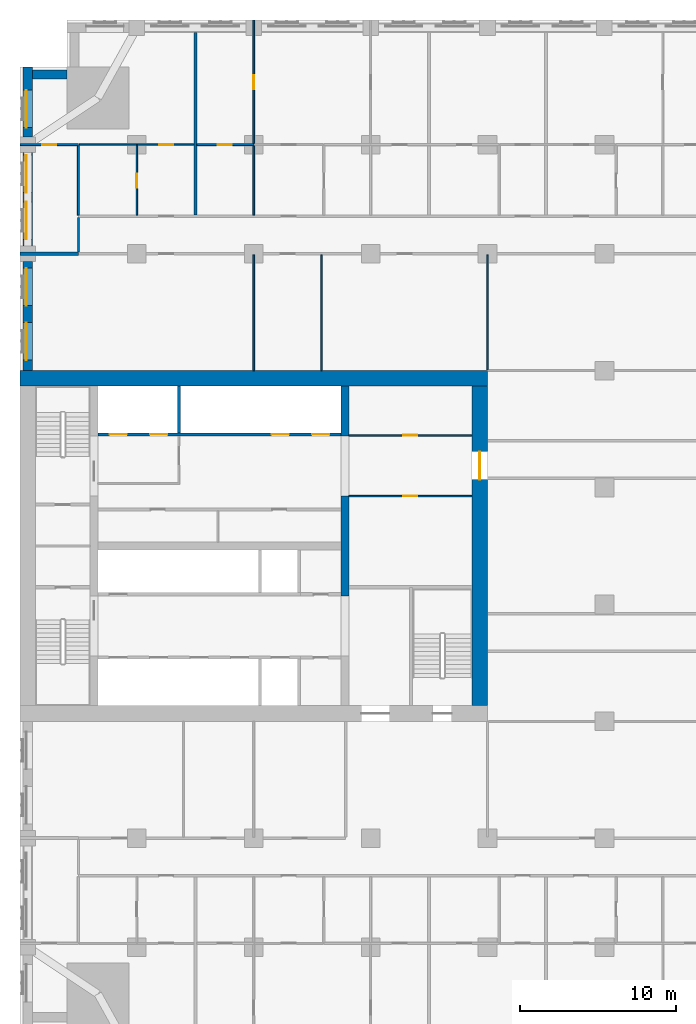
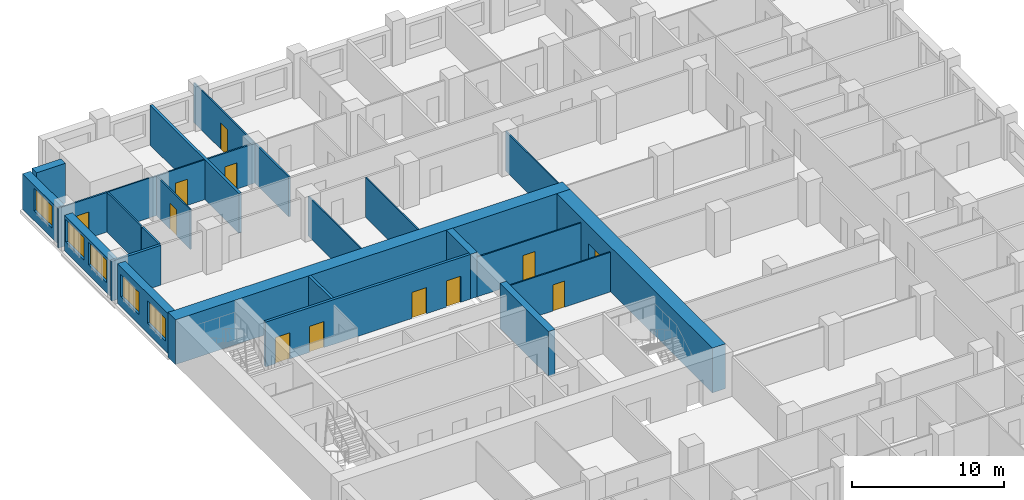
# One storey, part 8 of 14: 25 walls, 12 doors, 5 windows, 17 openings.
"""IFC4 building model written with IfcOpenShell, lengths in metres."""

from ifc_helpers import new_model, si_unit, direction, frame, frame_2d, origin, place, context, subcontext, project, spatial, rectangle, extrude, material, layer, layer_set, type_object, element, fill, save


model = new_model("IFC4")

# Units and contexts
model_context = context("Model", 3, precision=1e-05, world=origin(), true_north=direction((0.0, 1.0)))
body_context = subcontext(model_context, "Body", "Model", "MODEL_VIEW")
ifc_project = project(units=[si_unit("LENGTHUNIT", "METRE"), si_unit("AREAUNIT", "SQUARE_METRE"), si_unit("VOLUMEUNIT", "CUBIC_METRE"), si_unit("PLANEANGLEUNIT", "RADIAN"), si_unit("MASSUNIT", "GRAM", prefix="KILO")], contexts=[model_context])

# Site, building, storey
site_placement = place(None, origin())
site = spatial("IfcSite", under=ifc_project, at=site_placement, CompositionType="ELEMENT")
building_placement = place(site_placement, origin())
building = spatial("IfcBuilding", under=site, at=building_placement, Name="Tamorin Gate", CompositionType="ELEMENT")
storey_placement = place(building_placement, frame((0.0, 0.0, 70.0)))
storey = spatial("IfcBuildingStorey", under=building, at=storey_placement, Name="L16", CompositionType="ELEMENT", Elevation=70.0)

# Wall
ifc_material_1 = material(Name="Precast concrete C40/50", Category="concrete")
ifc_layer_1 = layer(ifc_material_1, 0.60009765625)
ifc_layer_set_1 = layer_set([ifc_layer_1], Name="Precast concrete C40/50")
wall_type_1 = type_object("IfcWallType", Name="Board-marked concrete facade panel 600", PredefinedType="SOLIDWALL", material=ifc_layer_set_1)
wall_1_placement = place(storey_placement, frame((33.0, 101.5, 0.0), z_axis=(0.0, 0.0, 1.0), x_axis=(-1.0, 0.0, 0.0)))
element("IfcWall", 1, at=wall_1_placement, inside=storey, type_object=wall_type_1, Name="Facade panel", PredefinedType="SOLIDWALL", context=body_context, shape_type="SweptSolid", body=[
    extrude(rectangle(XDim=2.199951171875, YDim=0.60009765625, at=frame_2d((1.10009765625, 0.0))), origin(), (0.0, 0.0, 1.0), 3.199951171875),
])

# Wall, opening, window
wall_2_placement = place(storey_placement, frame((30.5, 102.0, 0.0), z_axis=(0.0, 0.0, 1.0), x_axis=(0.0, -1.0, 0.0)))
wall_2 = element("IfcWall", 2, at=wall_2_placement, inside=storey, type_object=wall_type_1, Name="Facade panel", PredefinedType="SOLIDWALL", context=body_context, shape_type="SweptSolid", body=[
    extrude(rectangle(XDim=4.5, YDim=0.60009765625, at=frame_2d((2.25, 0.0))), origin(), (0.0, 0.0, 1.0), 2.85009765625),
])
opening_1_placement = place(wall_2_placement, frame((1.5, 0.0, 0.800048828125)))
opening_1 = element("IfcOpeningElement", 3, at=opening_1_placement, cuts=wall_2, Name="Opening WN1", PredefinedType="OPENING", context=body_context, shape_type="SweptSolid", body=[
    extrude(rectangle(XDim=2.39990234375, YDim=1.800048828125, at=frame_2d((1.199951171875, 0.89990234375))), frame((0.0, 0.31005859375, 0.0), z_axis=(0.0, -1.0, 0.0), x_axis=(1.0, 0.0, 0.0)), (0.0, 0.0, 1.0), 0.6201171875),
])
ifc_material_2 = material(Name="Clear glass in aluminium frame", Category="aluminium")
window_type = type_object("IfcWindowType", Name="Deep-set window 2400x1800", PartitioningType="SINGLE_PANEL", PredefinedType="WINDOW", material=ifc_material_2)
window_1_placement = place(opening_1_placement, origin())
window_1 = element("IfcWindow", 4, at=window_1_placement, inside=storey, type_object=window_type, Name="Deep-set window", OverallHeight=1.800048828125, OverallWidth=2.39990234375, PartitioningType="SINGLE_PANEL", PredefinedType="WINDOW", context=body_context, shape_type="SweptSolid", body=[
    extrude(rectangle(XDim=2.39990234375, YDim=1.800048828125, at=frame_2d((1.199951171875, 0.89990234375))), frame((0.0, -0.070068359375, 0.0), z_axis=(0.0, -1.0, 0.0), x_axis=(1.0, 0.0, 0.0)), (0.0, 0.0, 1.0), 0.06005859375),
])
fill(opening_1, window_1)

# Wall, openings, windows
wall_3_placement = place(storey_placement, frame((30.5, 96.5, 0.0), z_axis=(0.0, 0.0, 1.0), x_axis=(0.0, -1.0, 0.0)))
wall_3 = element("IfcWall", 5, at=wall_3_placement, inside=storey, type_object=wall_type_1, Name="Facade panel", PredefinedType="SOLIDWALL", context=body_context, shape_type="SweptSolid", body=[
    extrude(rectangle(XDim=6.0, YDim=0.60009765625, at=frame_2d((3.0, 0.0))), origin(), (0.0, 0.0, 1.0), 2.85009765625),
])
opening_2_placement = place(wall_3_placement, frame((3.175048828125, 0.0, 0.800048828125)))
opening_2 = element("IfcOpeningElement", 6, at=opening_2_placement, cuts=wall_3, Name="Opening WN1", PredefinedType="OPENING", context=body_context, shape_type="SweptSolid", body=[
    extrude(rectangle(XDim=2.39990234375, YDim=1.800048828125, at=frame_2d((1.199951171875, 0.89990234375))), frame((0.0, 0.31005859375, 0.0), z_axis=(0.0, -1.0, 0.0), x_axis=(1.0, 0.0, 0.0)), (0.0, 0.0, 1.0), 0.6201171875),
])
opening_3_placement = place(wall_3_placement, frame((0.175048828125, 0.0, 0.800048828125)))
opening_3 = element("IfcOpeningElement", 7, at=opening_3_placement, cuts=wall_3, Name="Opening WN1", PredefinedType="OPENING", context=body_context, shape_type="SweptSolid", body=[
    extrude(rectangle(XDim=2.39990234375, YDim=1.800048828125, at=frame_2d((1.199951171875, 0.89990234375))), frame((0.0, 0.31005859375, 0.0), z_axis=(0.0, -1.0, 0.0), x_axis=(1.0, 0.0, 0.0)), (0.0, 0.0, 1.0), 0.6201171875),
])
window_2_placement = place(opening_2_placement, origin())
window_2 = element("IfcWindow", 8, at=window_2_placement, inside=storey, type_object=window_type, Name="Deep-set window", OverallHeight=1.800048828125, OverallWidth=2.39990234375, PartitioningType="SINGLE_PANEL", PredefinedType="WINDOW", context=body_context, shape_type="SweptSolid", body=[
    extrude(rectangle(XDim=2.39990234375, YDim=1.800048828125, at=frame_2d((1.199951171875, 0.89990234375))), frame((0.0, -0.070068359375, 0.0), z_axis=(0.0, -1.0, 0.0), x_axis=(1.0, 0.0, 0.0)), (0.0, 0.0, 1.0), 0.06005859375),
])
fill(opening_2, window_2)
window_3_placement = place(opening_3_placement, origin())
window_3 = element("IfcWindow", 9, at=window_3_placement, inside=storey, type_object=window_type, Name="Deep-set window", OverallHeight=1.800048828125, OverallWidth=2.39990234375, PartitioningType="SINGLE_PANEL", PredefinedType="WINDOW", context=body_context, shape_type="SweptSolid", body=[
    extrude(rectangle(XDim=2.39990234375, YDim=1.800048828125, at=frame_2d((1.199951171875, 0.89990234375))), frame((0.0, -0.070068359375, 0.0), z_axis=(0.0, -1.0, 0.0), x_axis=(1.0, 0.0, 0.0)), (0.0, 0.0, 1.0), 0.06005859375),
])
fill(opening_3, window_3)

wall_4_placement = place(storey_placement, frame((30.5, 89.5, 0.0), z_axis=(0.0, 0.0, 1.0), x_axis=(0.0, -1.0, 0.0)))
wall_4 = element("IfcWall", 10, at=wall_4_placement, inside=storey, type_object=wall_type_1, Name="Facade panel", PredefinedType="SOLIDWALL", context=body_context, shape_type="SweptSolid", body=[
    extrude(rectangle(XDim=7.0, YDim=0.60009765625, at=frame_2d((3.5, 0.0))), origin(), (0.0, 0.0, 1.0), 3.199951171875),
])
opening_4_placement = place(wall_4_placement, frame((3.925048828125, 0.0, 0.800048828125)))
opening_4 = element("IfcOpeningElement", 11, at=opening_4_placement, cuts=wall_4, Name="Opening WN1", PredefinedType="OPENING", context=body_context, shape_type="SweptSolid", body=[
    extrude(rectangle(XDim=2.39990234375, YDim=1.800048828125, at=frame_2d((1.199951171875, 0.89990234375))), frame((0.0, 0.31005859375, 0.0), z_axis=(0.0, -1.0, 0.0), x_axis=(1.0, 0.0, 0.0)), (0.0, 0.0, 1.0), 0.6201171875),
])
opening_5_placement = place(wall_4_placement, frame((0.425048828125, 0.0, 0.800048828125)))
opening_5 = element("IfcOpeningElement", 12, at=opening_5_placement, cuts=wall_4, Name="Opening WN1", PredefinedType="OPENING", context=body_context, shape_type="SweptSolid", body=[
    extrude(rectangle(XDim=2.39990234375, YDim=1.800048828125, at=frame_2d((1.199951171875, 0.89990234375))), frame((0.0, 0.31005859375, 0.0), z_axis=(0.0, -1.0, 0.0), x_axis=(1.0, 0.0, 0.0)), (0.0, 0.0, 1.0), 0.6201171875),
])
window_4_placement = place(opening_4_placement, origin())
window_4 = element("IfcWindow", 13, at=window_4_placement, inside=storey, type_object=window_type, Name="Deep-set window", OverallHeight=1.800048828125, OverallWidth=2.39990234375, PartitioningType="SINGLE_PANEL", PredefinedType="WINDOW", context=body_context, shape_type="SweptSolid", body=[
    extrude(rectangle(XDim=2.39990234375, YDim=1.800048828125, at=frame_2d((1.199951171875, 0.89990234375))), frame((0.0, -0.070068359375, 0.0), z_axis=(0.0, -1.0, 0.0), x_axis=(1.0, 0.0, 0.0)), (0.0, 0.0, 1.0), 0.06005859375),
])
fill(opening_4, window_4)
window_5_placement = place(opening_5_placement, origin())
window_5 = element("IfcWindow", 14, at=window_5_placement, inside=storey, type_object=window_type, Name="Deep-set window", OverallHeight=1.800048828125, OverallWidth=2.39990234375, PartitioningType="SINGLE_PANEL", PredefinedType="WINDOW", context=body_context, shape_type="SweptSolid", body=[
    extrude(rectangle(XDim=2.39990234375, YDim=1.800048828125, at=frame_2d((1.199951171875, 0.89990234375))), frame((0.0, -0.070068359375, 0.0), z_axis=(0.0, -1.0, 0.0), x_axis=(1.0, 0.0, 0.0)), (0.0, 0.0, 1.0), 0.06005859375),
])
fill(opening_5, window_5)

# Walls
ifc_material_3 = material(Name="Gypsum board partition")
ifc_layer_2 = layer(ifc_material_3, 0.14990234375)
ifc_layer_set_2 = layer_set([ifc_layer_2], Name="Corridor wall 150")
wall_type_2 = type_object("IfcWallType", Name="Corridor wall 150", PredefinedType="PARTITIONING", material=ifc_layer_set_2)
wall_5_placement = place(storey_placement, frame((33.75, 90.10009765625, 0.0), z_axis=(0.0, 0.0, 1.0), x_axis=(0.0, 1.0, 0.0)))
element("IfcWall", 15, at=wall_5_placement, inside=storey, type_object=wall_type_2, Name="Corridor wall 150", PredefinedType="PARTITIONING", context=body_context, shape_type="SweptSolid", body=[
    extrude(rectangle(XDim=2.224853515625, YDim=0.14990234375, at=frame_2d((1.1123046875, 0.0))), origin(), (0.0, 0.0, 1.0), 3.199951171875),
])
ifc_layer_3 = layer(ifc_material_3, 0.199951171875)
ifc_layer_set_3 = layer_set([ifc_layer_3], Name="Demising wall 200")
wall_type_3 = type_object("IfcWallType", Name="Demising wall 200", PredefinedType="PARTITIONING", material=ifc_layer_set_3)
wall_6_placement = place(storey_placement, frame((30.0, 90.0, 0.0), z_axis=(0.0, 0.0, 1.0), x_axis=(1.0, 0.0, 0.0)))
element("IfcWall", 16, at=wall_6_placement, inside=storey, type_object=wall_type_3, Name="Demising wall 200", PredefinedType="PARTITIONING", context=body_context, shape_type="SweptSolid", body=[
    extrude(rectangle(XDim=3.75, YDim=0.199951171875, at=frame_2d((1.875, 0.0))), origin(), (0.0, 0.0, 1.0), 3.199951171875),
])
wall_7_placement = place(storey_placement, frame((41.25, 92.47509765625, 0.0), z_axis=(0.0, 0.0, 1.0), x_axis=(0.0, 1.0, 0.0)))
element("IfcWall", 17, at=wall_7_placement, inside=storey, type_object=wall_type_3, Name="Demising wall 200", PredefinedType="PARTITIONING", context=body_context, shape_type="SweptSolid", body=[
    extrude(rectangle(XDim=11.71484375, YDim=0.199951171875, at=frame_2d((5.857421875, 0.0))), origin(), (0.0, 0.0, 1.0), 3.199951171875),
])

# Wall, openings, doors
ifc_material_4 = material(Name="Concrete C32/40", Category="concrete")
ifc_layer_4 = layer(ifc_material_4, 0.199951171875)
ifc_layer_set_4 = layer_set([ifc_layer_4], Name="Lift lobby face wall 200 EI 120")
wall_type_4 = type_object("IfcWallType", Name="Lift lobby face wall 200 EI 120", PredefinedType="SOLIDWALL", material=ifc_layer_set_4)
wall_8_placement = place(storey_placement, frame((35.0, 78.39990234375, 0.0), z_axis=(0.0, 0.0, 1.0), x_axis=(1.0, 0.0, 0.0)))
wall_8 = element("IfcWall", 18, at=wall_8_placement, inside=storey, type_object=wall_type_4, Name="Lift lobby face wall", PredefinedType="SOLIDWALL", context=body_context, shape_type="SweptSolid", body=[
    extrude(rectangle(XDim=15.60009765625, YDim=0.199951171875, at=frame_2d((7.800048828125, 0.0))), origin(), (0.0, 0.0, 1.0), 3.60009765625),
])
opening_6_placement = place(wall_8_placement, frame((0.75, 0.0, 0.0)))
opening_6 = element("IfcOpeningElement", 19, at=opening_6_placement, cuts=wall_8, Name="Opening LD17", PredefinedType="OPENING", context=body_context, shape_type="SweptSolid", body=[
    extrude(rectangle(XDim=1.10009765625, YDim=2.10009765625, at=frame_2d((0.550048828125, 1.050048828125))), frame((0.0, 0.10986328125, 0.0), z_axis=(0.0, -1.0, 0.0), x_axis=(1.0, 0.0, 0.0)), (0.0, 0.0, 1.0), 0.219970703125),
])
opening_7_placement = place(wall_8_placement, frame((3.35009765625, 0.0, 0.0)))
opening_7 = element("IfcOpeningElement", 20, at=opening_7_placement, cuts=wall_8, Name="Opening LD18", PredefinedType="OPENING", context=body_context, shape_type="SweptSolid", body=[
    extrude(rectangle(XDim=1.10009765625, YDim=2.10009765625, at=frame_2d((0.550048828125, 1.050048828125))), frame((0.0, 0.10986328125, 0.0), z_axis=(0.0, -1.0, 0.0), x_axis=(1.0, 0.0, 0.0)), (0.0, 0.0, 1.0), 0.219970703125),
])
opening_8_placement = place(wall_8_placement, frame((11.14990234375, 0.0, 0.0)))
opening_8 = element("IfcOpeningElement", 21, at=opening_8_placement, cuts=wall_8, Name="Opening LD21", PredefinedType="OPENING", context=body_context, shape_type="SweptSolid", body=[
    extrude(rectangle(XDim=1.10009765625, YDim=2.10009765625, at=frame_2d((0.550048828125, 1.050048828125))), frame((0.0, 0.10986328125, 0.0), z_axis=(0.0, -1.0, 0.0), x_axis=(1.0, 0.0, 0.0)), (0.0, 0.0, 1.0), 0.219970703125),
])
opening_9_placement = place(wall_8_placement, frame((13.75, 0.0, 0.0)))
opening_9 = element("IfcOpeningElement", 22, at=opening_9_placement, cuts=wall_8, Name="Opening LD22", PredefinedType="OPENING", context=body_context, shape_type="SweptSolid", body=[
    extrude(rectangle(XDim=1.10009765625, YDim=2.10009765625, at=frame_2d((0.550048828125, 1.050048828125))), frame((0.0, 0.10986328125, 0.0), z_axis=(0.0, -1.0, 0.0), x_axis=(1.0, 0.0, 0.0)), (0.0, 0.0, 1.0), 0.219970703125),
])
ifc_material_5 = material(Name="Stainless steel sliding door", Category="steel")
door_type_1 = type_object("IfcDoorType", Name="Lift landing door 1100 x 2100 E 90", OperationType="DOUBLE_DOOR_SLIDING", PredefinedType="DOOR", material=ifc_material_5)
door_1_placement = place(opening_6_placement, origin())
door_1 = element("IfcDoor", 23, at=door_1_placement, inside=storey, type_object=door_type_1, Name="FF1 landing door", OperationType="DOUBLE_DOOR_SLIDING", OverallHeight=2.10009765625, OverallWidth=1.10009765625, PredefinedType="DOOR", context=body_context, shape_type="SweptSolid", body=[
    extrude(rectangle(XDim=1.10009765625, YDim=2.10009765625, at=frame_2d((0.550048828125, 1.050048828125))), frame((0.0, 0.02490234375, 0.0), z_axis=(0.0, -1.0, 0.0), x_axis=(1.0, 0.0, 0.0)), (0.0, 0.0, 1.0), 0.050048828125),
])
fill(opening_6, door_1)
door_2_placement = place(opening_7_placement, origin())
door_2 = element("IfcDoor", 24, at=door_2_placement, inside=storey, type_object=door_type_1, Name="FF2 landing door", OperationType="DOUBLE_DOOR_SLIDING", OverallHeight=2.10009765625, OverallWidth=1.10009765625, PredefinedType="DOOR", context=body_context, shape_type="SweptSolid", body=[
    extrude(rectangle(XDim=1.10009765625, YDim=2.10009765625, at=frame_2d((0.550048828125, 1.050048828125))), frame((0.0, 0.02490234375, 0.0), z_axis=(0.0, -1.0, 0.0), x_axis=(1.0, 0.0, 0.0)), (0.0, 0.0, 1.0), 0.050048828125),
])
fill(opening_7, door_2)
door_3_placement = place(opening_8_placement, origin())
door_3 = element("IfcDoor", 25, at=door_3_placement, inside=storey, type_object=door_type_1, Name="SV1 landing door", OperationType="DOUBLE_DOOR_SLIDING", OverallHeight=2.10009765625, OverallWidth=1.10009765625, PredefinedType="DOOR", context=body_context, shape_type="SweptSolid", body=[
    extrude(rectangle(XDim=1.10009765625, YDim=2.10009765625, at=frame_2d((0.550048828125, 1.050048828125))), frame((0.0, 0.02490234375, 0.0), z_axis=(0.0, -1.0, 0.0), x_axis=(1.0, 0.0, 0.0)), (0.0, 0.0, 1.0), 0.050048828125),
])
fill(opening_8, door_3)
door_4_placement = place(opening_9_placement, origin())
door_4 = element("IfcDoor", 26, at=door_4_placement, inside=storey, type_object=door_type_1, Name="SV2 landing door", OperationType="DOUBLE_DOOR_SLIDING", OverallHeight=2.10009765625, OverallWidth=1.10009765625, PredefinedType="DOOR", context=body_context, shape_type="SweptSolid", body=[
    extrude(rectangle(XDim=1.10009765625, YDim=2.10009765625, at=frame_2d((0.550048828125, 1.050048828125))), frame((0.0, 0.02490234375, 0.0), z_axis=(0.0, -1.0, 0.0), x_axis=(1.0, 0.0, 0.0)), (0.0, 0.0, 1.0), 0.050048828125),
])
fill(opening_9, door_4)

# Walls
ifc_layer_5 = layer(ifc_material_4, 0.199951171875)
ifc_layer_set_5 = layer_set([ifc_layer_5], Name="Lift shaft wall 200 EI 120")
wall_type_5 = type_object("IfcWallType", Name="Lift shaft wall 200 EI 120", PredefinedType="SOLIDWALL", material=ifc_layer_set_5)
wall_9_placement = place(storey_placement, frame((40.199951171875, 78.5, 0.0), z_axis=(0.0, 0.0, 1.0), x_axis=(0.0, 1.0, 0.0)))
element("IfcWall", 27, at=wall_9_placement, inside=storey, type_object=wall_type_5, Name="Lift shaft wall", PredefinedType="SOLIDWALL", context=body_context, shape_type="SweptSolid", body=[
    extrude(rectangle(XDim=3.0, YDim=0.199951171875, at=frame_2d((1.5, 0.0))), origin(), (0.0, 0.0, 1.0), 3.60009765625),
])
ifc_material_6 = material(Name="Concrete C80/95", Category="concrete")
ifc_layer_6 = layer(ifc_material_6, 0.5)
ifc_layer_set_6 = layer_set([ifc_layer_6], Name="RC core internal wall 500 C80/95")
wall_type_6 = type_object("IfcWallType", Name="RC core internal wall 500 C80/95", PredefinedType="SHEAR", material=ifc_layer_set_6)
wall_10_placement = place(storey_placement, frame((50.85009765625, 68.050048828125, 0.0), z_axis=(0.0, 0.0, 1.0), x_axis=(0.0, 1.0, 0.0)))
element("IfcWall", 28, at=wall_10_placement, inside=storey, type_object=wall_type_6, Name="Core cross wall L16", PredefinedType="SHEAR", context=body_context, shape_type="SweptSolid", body=[
    extrude(rectangle(XDim=6.39990234375, YDim=0.5, at=frame_2d((3.199951171875, 0.0))), origin(), (0.0, 0.0, 1.0), 3.60009765625),
])
wall_11_placement = place(storey_placement, frame((50.85009765625, 78.300048828125, 0.0), z_axis=(0.0, 0.0, 1.0), x_axis=(0.0, 1.0, 0.0)))
element("IfcWall", 29, at=wall_11_placement, inside=storey, type_object=wall_type_6, Name="Core cross wall L16", PredefinedType="SHEAR", context=body_context, shape_type="SweptSolid", body=[
    extrude(rectangle(XDim=3.199951171875, YDim=0.5, at=frame_2d((1.60009765625, 0.0))), origin(), (0.0, 0.0, 1.0), 3.60009765625),
])
ifc_layer_7 = layer(ifc_material_6, 1.0)
ifc_layer_set_7 = layer_set([ifc_layer_7], Name="RC core wall 1000 C80/95")
wall_type_7 = type_object("IfcWallType", Name="RC core wall 1000 C80/95", PredefinedType="SHEAR", material=ifc_layer_set_7)
wall_12_placement = place(storey_placement, frame((30.0, 82.0, 0.0), z_axis=(0.0, 0.0, 1.0), x_axis=(1.0, 0.0, 0.0)))
element("IfcWall", 30, at=wall_12_placement, inside=storey, type_object=wall_type_7, Name="Core wall L16", PredefinedType="SHEAR", context=body_context, shape_type="SweptSolid", body=[
    extrude(rectangle(XDim=30.0, YDim=1.0, at=frame_2d((15.0, 0.0))), origin(), (0.0, 0.0, 1.0), 3.60009765625),
])

# Wall, opening, door
wall_13_placement = place(storey_placement, frame((59.5, 61.0, 0.0), z_axis=(0.0, 0.0, 1.0), x_axis=(0.0, 1.0, 0.0)))
wall_13 = element("IfcWall", 31, at=wall_13_placement, inside=storey, type_object=wall_type_7, Name="Core wall L16", PredefinedType="SHEAR", context=body_context, shape_type="SweptSolid", body=[
    extrude(rectangle(XDim=20.5, YDim=1.0, at=frame_2d((10.25, 0.0))), origin(), (0.0, 0.0, 1.0), 3.60009765625),
])
opening_10_placement = place(wall_13_placement, frame((14.5, 0.0, 0.0)))
opening_10 = element("IfcOpeningElement", 32, at=opening_10_placement, cuts=wall_13, Name="Opening DE1", PredefinedType="OPENING", context=body_context, shape_type="SweptSolid", body=[
    extrude(rectangle(XDim=1.800048828125, YDim=2.10009765625, at=frame_2d((0.89990234375, 1.050048828125))), frame((0.0, 0.510009765625, 0.0), z_axis=(0.0, -1.0, 0.0), x_axis=(1.0, 0.0, 0.0)), (0.0, 0.0, 1.0), 1.02001953125),
])
ifc_material_7 = material(Name="Steel fire door", Category="steel")
door_type_2 = type_object("IfcDoorType", Name="Lobby exit double door 1800 x 2100 EI 60", OperationType="DOUBLE_DOOR_SINGLE_SWING", PredefinedType="DOOR", material=ifc_material_7)
door_5_placement = place(opening_10_placement, origin())
door_5 = element("IfcDoor", 33, at=door_5_placement, inside=storey, type_object=door_type_2, Name="Lift lobby B exit door", OperationType="DOUBLE_DOOR_SINGLE_SWING", OverallHeight=2.10009765625, OverallWidth=1.800048828125, PredefinedType="DOOR", context=body_context, shape_type="SweptSolid", body=[
    extrude(rectangle(XDim=1.800048828125, YDim=2.10009765625, at=frame_2d((0.89990234375, 1.050048828125))), frame((0.0, 0.02490234375, 0.0), z_axis=(0.0, -1.0, 0.0), x_axis=(1.0, 0.0, 0.0)), (0.0, 0.0, 1.0), 0.050048828125),
])
fill(opening_10, door_5)

ifc_layer_8 = layer(ifc_material_3, 0.10009765625)
ifc_layer_set_8 = layer_set([ifc_layer_8], Name="Room partition 100")
wall_type_8 = type_object("IfcWallType", Name="Room partition 100", PredefinedType="PARTITIONING", material=ifc_layer_set_8)
wall_14_placement = place(storey_placement, frame((33.8125, 97.0, 0.0), z_axis=(0.0, 0.0, 1.0), x_axis=(1.0, 0.0, 0.0)))
wall_14 = element("IfcWall", 34, at=wall_14_placement, inside=storey, type_object=wall_type_8, Name="Room partition 100", PredefinedType="PARTITIONING", context=body_context, shape_type="SweptSolid", body=[
    extrude(rectangle(XDim=7.33740234375, YDim=0.10009765625, at=frame_2d((3.668701171875, 0.0))), origin(), (0.0, 0.0, 1.0), 3.199951171875),
])
opening_11_placement = place(wall_14_placement, frame((5.112548828125, 0.0, 0.0)))
opening_11 = element("IfcOpeningElement", 35, at=opening_11_placement, cuts=wall_14, Name="Opening DH3023", PredefinedType="OPENING", context=body_context, shape_type="SweptSolid", body=[
    extrude(rectangle(XDim=0.89990234375, YDim=2.10009765625, at=frame_2d((0.449951171875, 1.050048828125))), frame((0.0, 0.06005859375, 0.0), z_axis=(0.0, -1.0, 0.0), x_axis=(1.0, 0.0, 0.0)), (0.0, 0.0, 1.0), 0.1201171875),
])
ifc_material_8 = material(Name="Timber door leaf", Category="wood")
door_type_3 = type_object("IfcDoorType", Name="Door 900 x 2100", OperationType="NOTDEFINED", PredefinedType="DOOR", material=ifc_material_8)
door_6_placement = place(opening_11_placement, origin())
door_6 = element("IfcDoor", 36, at=door_6_placement, inside=storey, type_object=door_type_3, Name="Door DH3023", OperationType="SINGLE_SWING_RIGHT", OverallHeight=2.10009765625, OverallWidth=0.89990234375, PredefinedType="DOOR", context=body_context, shape_type="SweptSolid", body=[
    extrude(rectangle(XDim=0.89990234375, YDim=2.10009765625, at=frame_2d((0.449951171875, 1.050048828125))), frame((0.0, 0.02490234375, 0.0), z_axis=(0.0, -1.0, 0.0), x_axis=(1.0, 0.0, 0.0)), (0.0, 0.0, 1.0), 0.050048828125),
])
fill(opening_11, door_6)

wall_15_placement = place(storey_placement, frame((37.5, 92.47509765625, 0.0), z_axis=(0.0, 0.0, 1.0), x_axis=(0.0, 1.0, 0.0)))
wall_15 = element("IfcWall", 37, at=wall_15_placement, inside=storey, type_object=wall_type_8, Name="Room partition 100", PredefinedType="PARTITIONING", context=body_context, shape_type="SweptSolid", body=[
    extrude(rectangle(XDim=4.474853515625, YDim=0.10009765625, at=frame_2d((2.2373046875, 0.0))), origin(), (0.0, 0.0, 1.0), 3.199951171875),
])
opening_12_placement = place(wall_15_placement, frame((1.77490234375, 0.0, 0.0)))
opening_12 = element("IfcOpeningElement", 38, at=opening_12_placement, cuts=wall_15, Name="Opening DH3021", PredefinedType="OPENING", context=body_context, shape_type="SweptSolid", body=[
    extrude(rectangle(XDim=0.89990234375, YDim=2.10009765625, at=frame_2d((0.449951171875, 1.050048828125))), frame((0.0, 0.06005859375, 0.0), z_axis=(0.0, -1.0, 0.0), x_axis=(1.0, 0.0, 0.0)), (0.0, 0.0, 1.0), 0.1201171875),
])
door_7_placement = place(opening_12_placement, origin())
door_7 = element("IfcDoor", 39, at=door_7_placement, inside=storey, type_object=door_type_3, Name="Door DH3021", OperationType="SINGLE_SWING_RIGHT", OverallHeight=2.10009765625, OverallWidth=0.89990234375, PredefinedType="DOOR", context=body_context, shape_type="SweptSolid", body=[
    extrude(rectangle(XDim=0.89990234375, YDim=2.10009765625, at=frame_2d((0.449951171875, 1.050048828125))), frame((0.0, 0.02490234375, 0.0), z_axis=(0.0, -1.0, 0.0), x_axis=(1.0, 0.0, 0.0)), (0.0, 0.0, 1.0), 0.050048828125),
])
fill(opening_12, door_7)

# Wall
wall_16_placement = place(storey_placement, frame((45.0, 82.5, 0.0), z_axis=(0.0, 0.0, 1.0), x_axis=(0.0, 1.0, 0.0)))
element("IfcWall", 40, at=wall_16_placement, inside=storey, type_object=wall_type_8, Name="Room partition 100", PredefinedType="PARTITIONING", context=body_context, shape_type="SweptSolid", body=[
    extrude(rectangle(XDim=7.425048828125, YDim=0.10009765625, at=frame_2d((3.71240234375, 0.0))), origin(), (0.0, 0.0, 1.0), 3.199951171875),
])

# Wall, opening, door
wall_17_placement = place(storey_placement, frame((45.0, 97.0625, 0.0), z_axis=(0.0, 0.0, 1.0), x_axis=(0.0, 1.0, 0.0)))
wall_17 = element("IfcWall", 41, at=wall_17_placement, inside=storey, type_object=wall_type_8, Name="Room partition 100", PredefinedType="PARTITIONING", context=body_context, shape_type="SweptSolid", body=[
    extrude(rectangle(XDim=7.9375, YDim=0.10009765625, at=frame_2d((3.96875, 0.0))), origin(), (0.0, 0.0, 1.0), 3.199951171875),
])
opening_13_placement = place(wall_17_placement, frame((3.487548828125, 0.0, 0.0)))
opening_13 = element("IfcOpeningElement", 42, at=opening_13_placement, cuts=wall_17, Name="Opening DH3029", PredefinedType="OPENING", context=body_context, shape_type="SweptSolid", body=[
    extrude(rectangle(XDim=0.89990234375, YDim=2.10009765625, at=frame_2d((0.449951171875, 1.050048828125))), frame((0.0, 0.06005859375, 0.0), z_axis=(0.0, -1.0, 0.0), x_axis=(1.0, 0.0, 0.0)), (0.0, 0.0, 1.0), 0.1201171875),
])
door_8_placement = place(opening_13_placement, origin())
door_8 = element("IfcDoor", 43, at=door_8_placement, inside=storey, type_object=door_type_3, Name="Door DH3029", OperationType="SINGLE_SWING_LEFT", OverallHeight=2.10009765625, OverallWidth=0.89990234375, PredefinedType="DOOR", context=body_context, shape_type="SweptSolid", body=[
    extrude(rectangle(XDim=0.89990234375, YDim=2.10009765625, at=frame_2d((0.449951171875, 1.050048828125))), frame((0.0, 0.02490234375, 0.0), z_axis=(0.0, -1.0, 0.0), x_axis=(1.0, 0.0, 0.0)), (0.0, 0.0, 1.0), 0.050048828125),
])
fill(opening_13, door_8)

# Walls
wall_18_placement = place(storey_placement, frame((49.35009765625, 82.5, 0.0), z_axis=(0.0, 0.0, 1.0), x_axis=(0.0, 1.0, 0.0)))
element("IfcWall", 44, at=wall_18_placement, inside=storey, type_object=wall_type_8, Name="Room partition 100", PredefinedType="PARTITIONING", context=body_context, shape_type="SweptSolid", body=[
    extrude(rectangle(XDim=7.425048828125, YDim=0.10009765625, at=frame_2d((3.71240234375, 0.0))), origin(), (0.0, 0.0, 1.0), 3.199951171875),
])
wall_19_placement = place(storey_placement, frame((60.0, 82.550048828125, 0.0), z_axis=(0.0, 0.0, 1.0), x_axis=(0.0, 1.0, 0.0)))
element("IfcWall", 45, at=wall_19_placement, inside=storey, type_object=wall_type_8, Name="Room partition 100", PredefinedType="PARTITIONING", context=body_context, shape_type="SweptSolid", body=[
    extrude(rectangle(XDim=7.375, YDim=0.10009765625, at=frame_2d((3.6875, 0.0))), origin(), (0.0, 0.0, 1.0), 3.199951171875),
])

# Wall, opening, door
ifc_layer_9 = layer(ifc_material_3, 0.10009765625)
ifc_layer_set_9 = layer_set([ifc_layer_9], Name="Service room partition 100 EI 60")
wall_type_9 = type_object("IfcWallType", Name="Service room partition 100 EI 60", PredefinedType="PARTITIONING", material=ifc_layer_set_9)
wall_20_placement = place(storey_placement, frame((51.10009765625, 74.449951171875, 0.0), z_axis=(0.0, 0.0, 1.0), x_axis=(1.0, 0.0, 0.0)))
wall_20 = element("IfcWall", 46, at=wall_20_placement, inside=storey, type_object=wall_type_9, Name="Service room wall", PredefinedType="PARTITIONING", context=body_context, shape_type="SweptSolid", body=[
    extrude(rectangle(XDim=7.89990234375, YDim=0.10009765625, at=frame_2d((3.949951171875, 0.0))), origin(), (0.0, 0.0, 1.0), 3.18994140625),
])
opening_14_placement = place(wall_20_placement, frame((3.5, 0.0, 0.0)))
opening_14 = element("IfcOpeningElement", 47, at=opening_14_placement, cuts=wall_20, Name="Opening DR1", PredefinedType="OPENING", context=body_context, shape_type="SweptSolid", body=[
    extrude(rectangle(XDim=0.89990234375, YDim=2.10009765625, at=frame_2d((0.449951171875, 1.050048828125))), frame((0.0, 0.06005859375, 0.0), z_axis=(0.0, -1.0, 0.0), x_axis=(1.0, 0.0, 0.0)), (0.0, 0.0, 1.0), 0.1201171875),
])
door_type_4 = type_object("IfcDoorType", Name="Riser access door 900 x 2100 EI 120", OperationType="SINGLE_SWING_LEFT", PredefinedType="DOOR", material=ifc_material_7)
door_9_placement = place(opening_14_placement, origin())
door_9 = element("IfcDoor", 48, at=door_9_placement, inside=storey, type_object=door_type_4, Name="Duct riser door", OperationType="SINGLE_SWING_RIGHT", OverallHeight=2.10009765625, OverallWidth=0.89990234375, PredefinedType="DOOR", context=body_context, shape_type="SweptSolid", body=[
    extrude(rectangle(XDim=0.89990234375, YDim=2.10009765625, at=frame_2d((0.449951171875, 1.050048828125))), frame((0.0, 0.02490234375, 0.0), z_axis=(0.0, -1.0, 0.0), x_axis=(1.0, 0.0, 0.0)), (0.0, 0.0, 1.0), 0.050048828125),
])
fill(opening_14, door_9)

wall_21_placement = place(storey_placement, frame((51.10009765625, 78.35009765625, 0.0), z_axis=(0.0, 0.0, 1.0), x_axis=(1.0, 0.0, 0.0)))
wall_21 = element("IfcWall", 49, at=wall_21_placement, inside=storey, type_object=wall_type_9, Name="Service room wall", PredefinedType="PARTITIONING", context=body_context, shape_type="SweptSolid", body=[
    extrude(rectangle(XDim=7.89990234375, YDim=0.10009765625, at=frame_2d((3.949951171875, 0.0))), origin(), (0.0, 0.0, 1.0), 3.18994140625),
])
opening_15_placement = place(wall_21_placement, frame((3.5, 0.0, 0.0)))
opening_15 = element("IfcOpeningElement", 50, at=opening_15_placement, cuts=wall_21, Name="Opening DK1", PredefinedType="OPENING", context=body_context, shape_type="SweptSolid", body=[
    extrude(rectangle(XDim=0.89990234375, YDim=2.10009765625, at=frame_2d((0.449951171875, 1.050048828125))), frame((0.0, 0.06005859375, 0.0), z_axis=(0.0, -1.0, 0.0), x_axis=(1.0, 0.0, 0.0)), (0.0, 0.0, 1.0), 0.1201171875),
])
ifc_material_9 = material(Name="Timber fire door", Category="wood")
door_type_5 = type_object("IfcDoorType", Name="Service room door 900 x 2100 EI 60", OperationType="SINGLE_SWING_LEFT", PredefinedType="DOOR", material=ifc_material_9)
door_10_placement = place(opening_15_placement, origin())
door_10 = element("IfcDoor", 51, at=door_10_placement, inside=storey, type_object=door_type_5, Name="Door Housekeeping office", OperationType="SINGLE_SWING_RIGHT", OverallHeight=2.10009765625, OverallWidth=0.89990234375, PredefinedType="DOOR", context=body_context, shape_type="SweptSolid", body=[
    extrude(rectangle(XDim=0.89990234375, YDim=2.10009765625, at=frame_2d((0.449951171875, 1.050048828125))), frame((0.0, 0.02490234375, 0.0), z_axis=(0.0, -1.0, 0.0), x_axis=(1.0, 0.0, 0.0)), (0.0, 0.0, 1.0), 0.050048828125),
])
fill(opening_15, door_10)

ifc_layer_10 = layer(ifc_material_3, 0.125)
ifc_layer_set_10 = layer_set([ifc_layer_10], Name="Wet wall 125")
wall_type_10 = type_object("IfcWallType", Name="Wet wall 125", PredefinedType="PARTITIONING", material=ifc_layer_set_10)
wall_22_placement = place(storey_placement, frame((30.0, 97.0, 0.0), z_axis=(0.0, 0.0, 1.0), x_axis=(1.0, 0.0, 0.0)))
wall_22 = element("IfcWall", 52, at=wall_22_placement, inside=storey, type_object=wall_type_10, Name="Wet wall 125", PredefinedType="PARTITIONING", context=body_context, shape_type="SweptSolid", body=[
    extrude(rectangle(XDim=3.75, YDim=0.125, at=frame_2d((1.875, 0.0))), origin(), (0.0, 0.0, 1.0), 3.199951171875),
])
opening_16_placement = place(wall_22_placement, frame((1.425048828125, 0.0, 0.0)))
opening_16 = element("IfcOpeningElement", 53, at=opening_16_placement, cuts=wall_22, Name="Opening DH3020", PredefinedType="OPENING", context=body_context, shape_type="SweptSolid", body=[
    extrude(rectangle(XDim=0.89990234375, YDim=2.10009765625, at=frame_2d((0.449951171875, 1.050048828125))), frame((0.0, 0.072509765625, 0.0), z_axis=(0.0, -1.0, 0.0), x_axis=(1.0, 0.0, 0.0)), (0.0, 0.0, 1.0), 0.14501953125),
])
door_11_placement = place(opening_16_placement, origin())
door_11 = element("IfcDoor", 54, at=door_11_placement, inside=storey, type_object=door_type_3, Name="Door DH3020", OperationType="SINGLE_SWING_RIGHT", OverallHeight=2.10009765625, OverallWidth=0.89990234375, PredefinedType="DOOR", context=body_context, shape_type="SweptSolid", body=[
    extrude(rectangle(XDim=0.89990234375, YDim=2.10009765625, at=frame_2d((0.449951171875, 1.050048828125))), frame((0.0, 0.02490234375, 0.0), z_axis=(0.0, -1.0, 0.0), x_axis=(1.0, 0.0, 0.0)), (0.0, 0.0, 1.0), 0.050048828125),
])
fill(opening_16, door_11)

wall_23_placement = place(storey_placement, frame((41.35009765625, 97.0, 0.0), z_axis=(0.0, 0.0, 1.0), x_axis=(1.0, 0.0, 0.0)))
wall_23 = element("IfcWall", 55, at=wall_23_placement, inside=storey, type_object=wall_type_10, Name="Wet wall 125", PredefinedType="PARTITIONING", context=body_context, shape_type="SweptSolid", body=[
    extrude(rectangle(XDim=3.64990234375, YDim=0.125, at=frame_2d((1.824951171875, 0.0))), origin(), (0.0, 0.0, 1.0), 3.199951171875),
])
opening_17_placement = place(wall_23_placement, frame((1.324951171875, 0.0, 0.0)))
opening_17 = element("IfcOpeningElement", 56, at=opening_17_placement, cuts=wall_23, Name="Opening DH3024", PredefinedType="OPENING", context=body_context, shape_type="SweptSolid", body=[
    extrude(rectangle(XDim=0.89990234375, YDim=2.10009765625, at=frame_2d((0.449951171875, 1.050048828125))), frame((0.0, 0.072509765625, 0.0), z_axis=(0.0, -1.0, 0.0), x_axis=(1.0, 0.0, 0.0)), (0.0, 0.0, 1.0), 0.14501953125),
])
door_12_placement = place(opening_17_placement, origin())
door_12 = element("IfcDoor", 57, at=door_12_placement, inside=storey, type_object=door_type_3, Name="Door DH3024", OperationType="SINGLE_SWING_RIGHT", OverallHeight=2.10009765625, OverallWidth=0.89990234375, PredefinedType="DOOR", context=body_context, shape_type="SweptSolid", body=[
    extrude(rectangle(XDim=0.89990234375, YDim=2.10009765625, at=frame_2d((0.449951171875, 1.050048828125))), frame((0.0, 0.02490234375, 0.0), z_axis=(0.0, -1.0, 0.0), x_axis=(1.0, 0.0, 0.0)), (0.0, 0.0, 1.0), 0.050048828125),
])
fill(opening_17, door_12)

# Walls
for number, where, z_axis, x_axis, name in (
    (58, (33.75, 92.47509765625, 0.0), (0.0, 0.0, 1.0), (0.0, 1.0, 0.0), "Wet wall 125"),
    (59, (45.0, 92.47509765625, 0.0), (0.0, 0.0, 1.0), (0.0, 1.0, 0.0), "Wet wall 125"),
):
    element("IfcWall", number, at=place(storey_placement, frame(where, z_axis=z_axis, x_axis=x_axis)), inside=storey, type_object=wall_type_10, Name=name, PredefinedType="PARTITIONING", context=body_context, shape_type="SweptSolid", body=[
        extrude(rectangle(XDim=4.46240234375, YDim=0.125, at=frame_2d((2.231201171875, 0.0))), origin(), (0.0, 0.0, 1.0), 3.199951171875),
    ])

save(model, "model.ifc")
